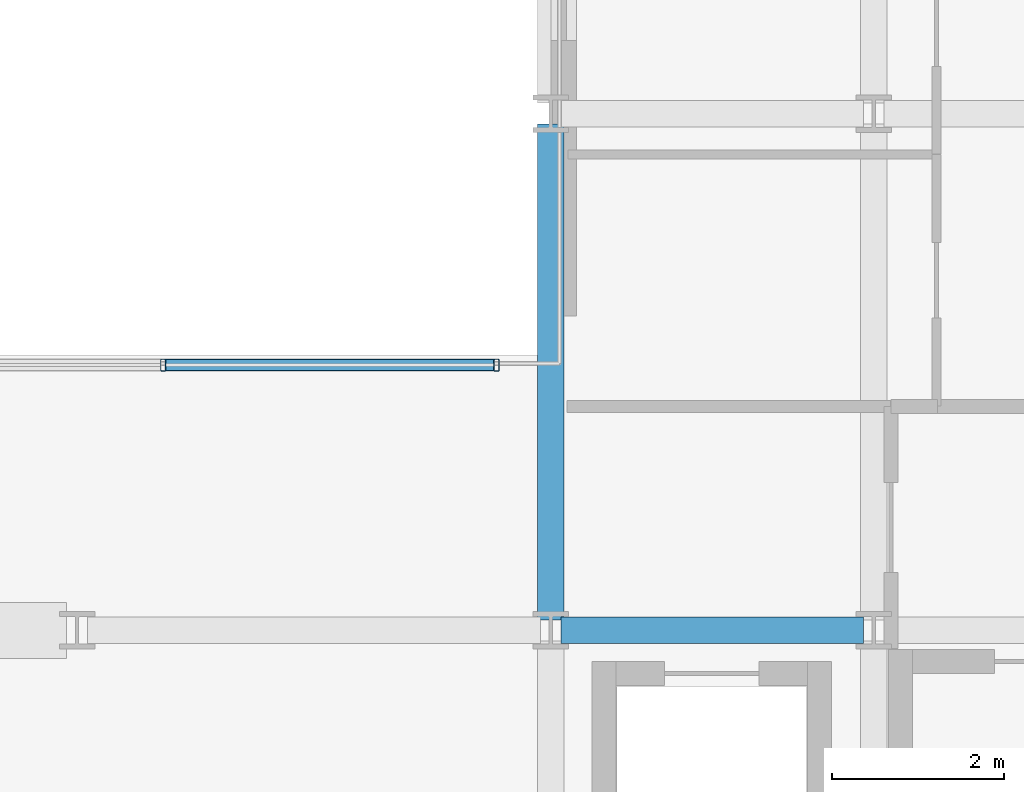
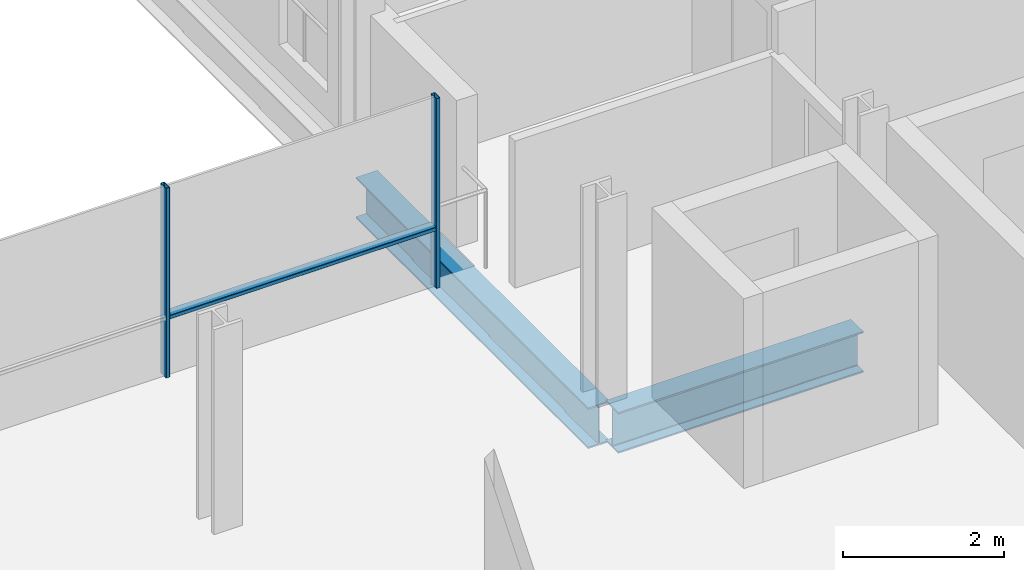
# One storey, part 13 of 41: 3 members, 2 beams, 1 element without a shape of its own.
"""IFC4 building model written with IfcOpenShell, lengths in metres."""

from ifc_helpers import new_model, si_unit, direction, frame, origin, origin_2d, place, context, subcontext, project, spatial, hollow_rectangle, i_section, extrude, material, layer, layer_set, material_profile, profile_set, type_object, element, aggregate, save


model = new_model("IFC4")

# Units and contexts
model_context = context("Model", 3, precision=1e-05, world=origin(), true_north=direction((0.0, 1.0)))
body_context = subcontext(model_context, "Body", "Model", "MODEL_VIEW")
ifc_project = project(units=[si_unit("LENGTHUNIT", "METRE"), si_unit("AREAUNIT", "SQUARE_METRE"), si_unit("VOLUMEUNIT", "CUBIC_METRE"), si_unit("PLANEANGLEUNIT", "RADIAN"), si_unit("MASSUNIT", "GRAM", prefix="KILO")], contexts=[model_context])

# Site, building, storey
site_placement = place(None, origin())
site = spatial("IfcSite", under=ifc_project, at=site_placement, CompositionType="ELEMENT")
building_placement = place(site_placement, origin())
building = spatial("IfcBuilding", under=site, at=building_placement, Name="Brevholm Reach", CompositionType="ELEMENT")
storey_placement = place(building_placement, frame((0.0, 0.0, 74.5)))
storey = spatial("IfcBuildingStorey", under=building, at=storey_placement, Name="L21", CompositionType="ELEMENT", Elevation=74.5)

# Beams
ifc_material_1 = material(Name="Structural Steel S355J2", Category="steel")
ifc_material_profile_1 = material_profile(ifc_material_1, i_section(OverallWidth=0.30712890625, OverallDepth=0.6201171875, WebThickness=0.01416015625, FlangeThickness=0.023681640625, FilletRadius=0.0166015625, at=origin_2d()), Name="UKB 610x305x179")
ifc_profile_set_1 = profile_set([ifc_material_profile_1], Name="Structural Steel S355J2")
beam_type = type_object("IfcBeamType", Name="BM-UKB610H", PredefinedType="USERDEFINED", material=ifc_profile_set_1)
beam_1_placement = place(storey_placement, frame((38.3701171875, 10.0, -0.5400390625), z_axis=(1.0, 0.0, 0.0), x_axis=(0.0, 1.0, 0.0)))
element("IfcBeam", 1, at=beam_1_placement, inside=storey, type_object=beam_type, Name="L21 G-06 Framing Beam", ObjectType="GIRDER", PredefinedType="USERDEFINED", context=body_context, shape_type="SweptSolid", body=[
    extrude(i_section(OverallWidth=0.30712890625, OverallDepth=0.6201171875, WebThickness=0.01416015625, FlangeThickness=0.023681640625, FilletRadius=0.0166015625, at=origin_2d()), origin(), (0.0, 0.0, 1.0), 3.509765625),
])
beam_2_placement = place(storey_placement, frame((38.25, 10.1201171875, -0.5400390625), z_axis=(0.0, 1.0, 0.0), x_axis=(-1.0, 0.0, 0.0)))
element("IfcBeam", 2, at=beam_2_placement, inside=storey, type_object=beam_type, Name="L21 G-06 Framing Beam", ObjectType="GIRDER", PredefinedType="USERDEFINED", context=body_context, shape_type="SweptSolid", body=[
    extrude(i_section(OverallWidth=0.30712890625, OverallDepth=0.6201171875, WebThickness=0.01416015625, FlangeThickness=0.023681640625, FilletRadius=0.0166015625, at=origin_2d()), origin(), (0.0, 0.0, 1.0), 5.759765625),
])

# Curtain wall, members
ifc_material_2 = material(Name="Dark Anodised Aluminium 6063-T6 and Solar-Control Glass", Category="aluminium")
ifc_layer = layer(ifc_material_2, 0.139892578125)
ifc_layer_set = layer_set([ifc_layer], Name="Dark Anodised Aluminium 6063-T6 and Solar-Control Glass")
curtain_wall_type = type_object("IfcCurtainWallType", Name="CW-02", PredefinedType="NOTDEFINED", material=ifc_layer_set)
curtain_wall_placement = place(storey_placement, origin())
curtain_wall = element("IfcCurtainWall", 3, at=curtain_wall_placement, inside=storey, type_object=curtain_wall_type, Name="L21 Curtain Wall CW-02", PredefinedType="NOTDEFINED")
ifc_material_3 = material(Name="Dark Anodised Aluminium 6063-T6", Category="aluminium")
ifc_material_profile_2 = material_profile(ifc_material_3, hollow_rectangle(XDim=0.06005859375, YDim=0.139892578125, WallThickness=0.0048828125, InnerFilletRadius=0.0048828125, OuterFilletRadius=0.010009765625, at=origin_2d()), Name="RHS 140x60x5")
ifc_profile_set_2 = profile_set([ifc_material_profile_2], Name="Dark Anodised Aluminium 6063-T6")
member_type_1 = type_object("IfcMemberType", Name="CWM-140", PredefinedType="MULLION", material=ifc_profile_set_2)
member_1_placement = place(storey_placement, frame((33.75, 13.080078125, 0.0), z_axis=(0.0, 0.0, 1.0), x_axis=(1.0, 0.0, 0.0)))
member_1 = element("IfcMember", 4, at=member_1_placement, type_object=member_type_1, Name="CM-140 Mullion 4", PredefinedType="MULLION", context=body_context, shape_type="SweptSolid", body=[
    extrude(hollow_rectangle(XDim=0.06005859375, YDim=0.139892578125, WallThickness=0.0048828125, InnerFilletRadius=0.0048828125, OuterFilletRadius=0.010009765625, at=origin_2d()), origin(), (0.0, 0.0, 1.0), 2.8701171875),
])
member_2_placement = place(storey_placement, frame((37.6201171875, 13.080078125, 0.0), z_axis=(0.0, 0.0, 1.0), x_axis=(1.0, 0.0, 0.0)))
member_2 = element("IfcMember", 5, at=member_2_placement, type_object=member_type_1, Name="CM-140 Mullion 5", PredefinedType="MULLION", context=body_context, shape_type="SweptSolid", body=[
    extrude(hollow_rectangle(XDim=0.06005859375, YDim=0.139892578125, WallThickness=0.0048828125, InnerFilletRadius=0.0048828125, OuterFilletRadius=0.010009765625, at=origin_2d()), origin(), (0.0, 0.0, 1.0), 2.8701171875),
])
ifc_material_4 = material(Name="Dark Anodised Aluminium 6063-T6", Category="aluminium")
ifc_material_profile_3 = material_profile(ifc_material_4, hollow_rectangle(XDim=0.06005859375, YDim=0.139892578125, WallThickness=0.0048828125, InnerFilletRadius=0.0048828125, OuterFilletRadius=0.010009765625, at=origin_2d()), Name="RHS 140x60x5")
ifc_profile_set_3 = profile_set([ifc_material_profile_3], Name="Dark Anodised Aluminium 6063-T6")
member_type_2 = type_object("IfcMemberType", Name="CWT-140", PredefinedType="NOTDEFINED", material=ifc_profile_set_3)
member_3_placement = place(storey_placement, frame((33.780029296875, 13.080078125, 0.89990234375), z_axis=(1.0, 0.0, 0.0), x_axis=(0.0, 0.0, 1.0)))
member_3 = element("IfcMember", 6, at=member_3_placement, type_object=member_type_2, Name="CT-140 Transom 4.1", ObjectType="TRANSOM", PredefinedType="USERDEFINED", context=body_context, shape_type="SweptSolid", body=[
    extrude(hollow_rectangle(XDim=0.06005859375, YDim=0.139892578125, WallThickness=0.0048828125, InnerFilletRadius=0.0048828125, OuterFilletRadius=0.010009765625, at=origin_2d()), origin(), (0.0, 0.0, 1.0), 3.81005859375),
])
aggregate(curtain_wall, [member_1, member_2, member_3])

save(model, "model.ifc")
